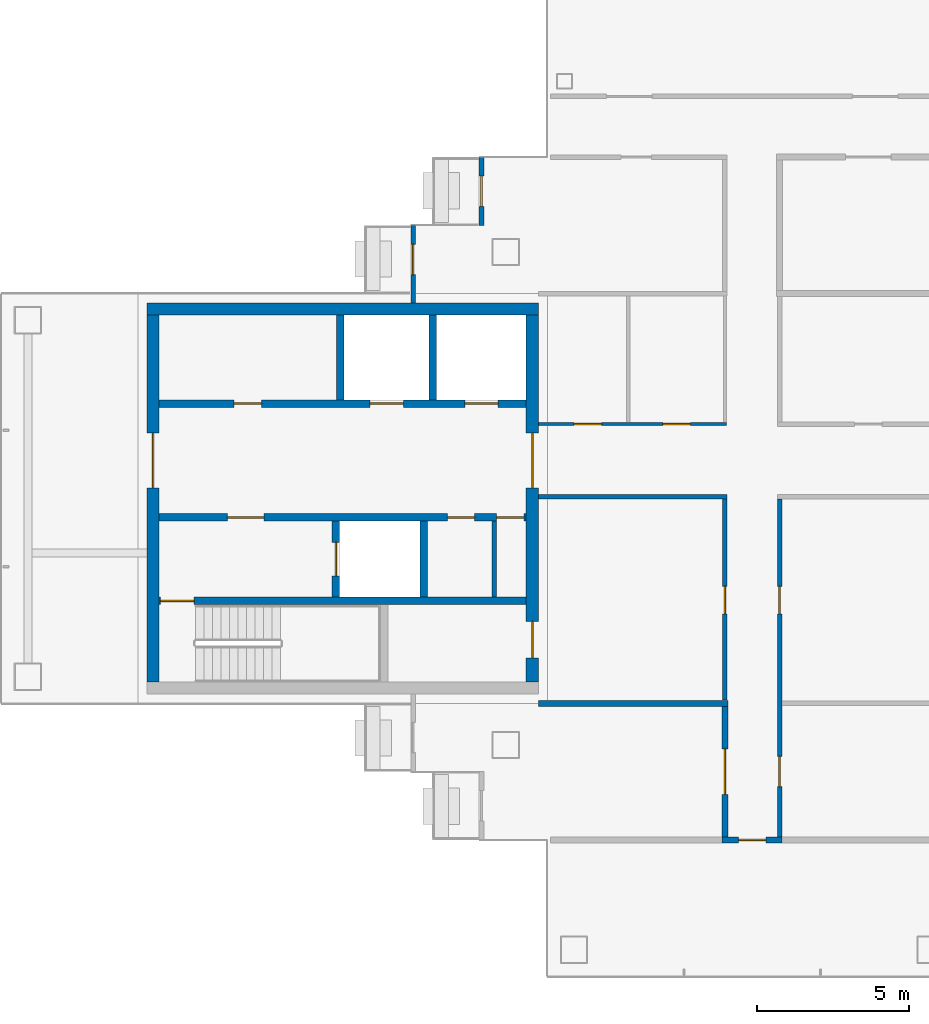
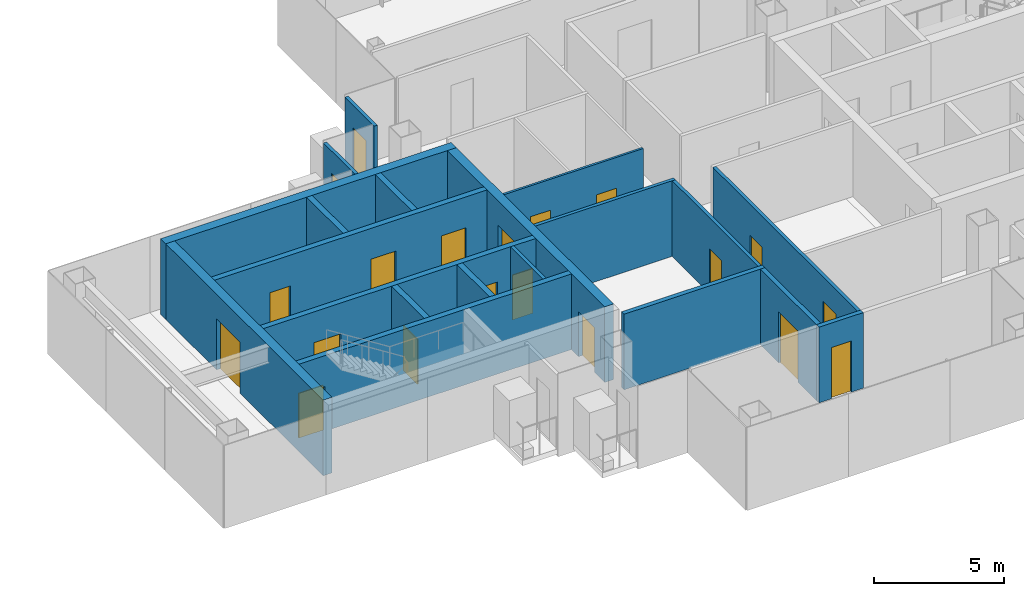
# One storey, part 11 of 17: 20 doors, 20 walls, 20 openings.
"""IFC4 building model written with IfcOpenShell, lengths in metres."""

from ifc_helpers import new_model, si_unit, direction, frame, frame_2d, origin, place, context, subcontext, project, spatial, rectangle, extrude, material, layer, layer_set, type_object, element, fill, save


model = new_model("IFC4")

# Units and contexts
model_context = context("Model", 3, precision=1e-05, world=origin(), true_north=direction((0.0, 1.0)))
body_context = subcontext(model_context, "Body", "Model", "MODEL_VIEW")
ifc_project = project(units=[si_unit("LENGTHUNIT", "METRE"), si_unit("AREAUNIT", "SQUARE_METRE"), si_unit("VOLUMEUNIT", "CUBIC_METRE"), si_unit("PLANEANGLEUNIT", "RADIAN"), si_unit("MASSUNIT", "GRAM", prefix="KILO")], contexts=[model_context])

# Site, building, storey
site_placement = place(None, origin())
site = spatial("IfcSite", under=ifc_project, at=site_placement, CompositionType="ELEMENT")
building_placement = place(site_placement, origin())
building = spatial("IfcBuilding", under=site, at=building_placement, Name="Shamsa Quay Exchange Towers", CompositionType="ELEMENT")
storey_placement = place(building_placement, frame((0.0, 0.0, 238.199951171875)))
storey = spatial("IfcBuildingStorey", under=building, at=storey_placement, Name="L57", CompositionType="ELEMENT", Elevation=238.199951171875)

# Wall, opening, door
ifc_material_1 = material(Name="Double-leaf gypsum board partition with acoustic insulation")
ifc_layer_1 = layer(ifc_material_1, 0.199951171875)
ifc_layer_set_1 = layer_set([ifc_layer_1], Name="Acoustic partition 200 mm EI 60")
wall_type_1 = type_object("IfcWallType", Name="Acoustic partition 200 mm EI 60", PredefinedType="PARTITIONING", material=ifc_layer_set_1)
wall_1_placement = place(storey_placement, frame((32.849609375, -11.14990234375, 0.0), z_axis=(0.0, 0.0, 1.0), x_axis=(0.0, 1.0, 0.0)))
wall_1 = element("IfcWall", 1, at=wall_1_placement, inside=storey, type_object=wall_type_1, Name="Partition T2-R25-W14", PredefinedType="PARTITIONING", context=body_context, shape_type="SweptSolid", body=[
    extrude(rectangle(XDim=4.2998046875, YDim=0.199951171875, at=frame_2d((2.14990234375, 0.0))), origin(), (0.0, 0.0, 1.0), 3.550048828125),
])
opening_1_placement = place(wall_1_placement, frame((1.39990234375, 0.0, 0.0)))
opening_1 = element("IfcOpeningElement", 2, at=opening_1_placement, cuts=wall_1, Name="Opening T2-R25-D06", PredefinedType="OPENING", context=body_context, shape_type="SweptSolid", body=[
    extrude(rectangle(XDim=1.5, YDim=2.39990234375, at=frame_2d((0.75, 1.199951171875))), frame((0.0, 0.10986328125, 0.0), z_axis=(0.0, -1.0, 0.0), x_axis=(1.0, 0.0, 0.0)), (0.0, 0.0, 1.0), 0.219970703125),
])
ifc_material_2 = material(Name="Timber door leaf in a metal frame", Category="wood")
door_type_1 = type_object("IfcDoorType", Name="Door 1500x2400 FD30S pair", OperationType="NOTDEFINED", PredefinedType="DOOR", material=ifc_material_2)
door_1_placement = place(opening_1_placement, origin())
door_1 = element("IfcDoor", 3, at=door_1_placement, inside=storey, type_object=door_type_1, Name="Door T2-R25-D06", OperationType="DOUBLE_DOOR_SINGLE_SWING", OverallHeight=2.39990234375, OverallWidth=1.5, PredefinedType="DOOR", context=body_context, shape_type="SweptSolid", body=[
    extrude(rectangle(XDim=1.5, YDim=2.39990234375, at=frame_2d((0.75, 1.199951171875))), frame((0.0, 0.02490234375, 0.0), z_axis=(0.0, -1.0, 0.0), x_axis=(1.0, 0.0, 0.0)), (0.0, 0.0, 1.0), 0.050048828125),
])
fill(opening_1, door_1)

wall_2_placement = place(storey_placement, frame((34.725341796875, -11.25, 0.0), z_axis=(0.0, 0.0, 1.0), x_axis=(-1.0, 0.0, 0.0)))
wall_2 = element("IfcWall", 4, at=wall_2_placement, inside=storey, type_object=wall_type_1, Name="Partition T2-R25-W15", PredefinedType="PARTITIONING", context=body_context, shape_type="SweptSolid", body=[
    extrude(rectangle(XDim=1.975830078125, YDim=0.199951171875, at=frame_2d((0.98779296875, 0.0))), origin(), (0.0, 0.0, 1.0), 3.550048828125),
])
opening_2_placement = place(wall_2_placement, frame((0.525390625, 0.0, 0.0)))
opening_2 = element("IfcOpeningElement", 5, at=opening_2_placement, cuts=wall_2, Name="Opening T2-R25-D05", PredefinedType="OPENING", context=body_context, shape_type="SweptSolid", body=[
    extrude(rectangle(XDim=0.89990234375, YDim=2.39990234375, at=frame_2d((0.449951171875, 1.199951171875))), frame((0.0, 0.10986328125, 0.0), z_axis=(0.0, -1.0, 0.0), x_axis=(1.0, 0.0, 0.0)), (0.0, 0.0, 1.0), 0.219970703125),
])
door_type_2 = type_object("IfcDoorType", Name="Door 900x2400 FD30S", OperationType="NOTDEFINED", PredefinedType="DOOR", material=ifc_material_2)
door_2_placement = place(opening_2_placement, origin())
door_2 = element("IfcDoor", 6, at=door_2_placement, inside=storey, type_object=door_type_2, Name="Door T2-R25-D05", OperationType="SINGLE_SWING_RIGHT", OverallHeight=2.39990234375, OverallWidth=0.89990234375, PredefinedType="DOOR", context=body_context, shape_type="SweptSolid", body=[
    extrude(rectangle(XDim=0.89990234375, YDim=2.39990234375, at=frame_2d((0.449951171875, 1.199951171875))), frame((0.0, 0.02490234375, 0.0), z_axis=(0.0, -1.0, 0.0), x_axis=(1.0, 0.0, 0.0)), (0.0, 0.0, 1.0), 0.050048828125),
])
fill(opening_2, door_2)

# Wall
wall_3_placement = place(storey_placement, frame((26.699951171875, -6.75, 0.0)))
element("IfcWall", 7, at=wall_3_placement, inside=storey, type_object=wall_type_1, Name="Partition T2-R25-W18", PredefinedType="PARTITIONING", context=body_context, shape_type="SweptSolid", body=[
    extrude(rectangle(XDim=6.249755859375, YDim=0.199951171875, at=frame_2d((3.125, 0.0))), origin(), (0.0, 0.0, 1.0), 3.550048828125),
])

# Wall, opening, door
ifc_material_3 = material(Name="Aluminium EN AW-6063 T6, black anodised, with black enamelled glass infill", Category="aluminium")
ifc_layer_2 = layer(ifc_material_3, 0.14990234375)
ifc_layer_set_2 = layer_set([ifc_layer_2], Name="BALCONY DOOR BAY WALL 150")
wall_type_2 = type_object("IfcWallType", Name="BALCONY DOOR BAY WALL 150", PredefinedType="SOLIDWALL", material=ifc_layer_set_2)
wall_4_placement = place(storey_placement, frame((24.824951171875, 9.0, 0.0), z_axis=(0.0, 0.0, 1.0), x_axis=(0.0, 1.0, 0.0)))
wall_4 = element("IfcWall", 8, at=wall_4_placement, inside=storey, type_object=wall_type_2, Name="Door bay T2-PKEN L57", PredefinedType="SOLIDWALL", context=body_context, shape_type="SweptSolid", body=[
    extrude(rectangle(XDim=2.25, YDim=0.14990234375, at=frame_2d((1.125, 0.0))), origin(), (0.0, 0.0, 1.0), 3.449951171875),
])
opening_3_placement = place(wall_4_placement, frame((0.625, 0.0, 0.0)))
opening_3 = element("IfcOpeningElement", 9, at=opening_3_placement, cuts=wall_4, Name="Opening XD377", PredefinedType="OPENING", context=body_context, shape_type="SweptSolid", body=[
    extrude(rectangle(XDim=1.0, YDim=2.39990234375, at=frame_2d((0.5, 1.199951171875))), frame((0.0, 0.0849609375, 0.0), z_axis=(0.0, -1.0, 0.0), x_axis=(1.0, 0.0, 0.0)), (0.0, 0.0, 1.0), 0.169921875),
])
ifc_material_4 = material(Name="Aluminium EN AW-6063 T6, black anodised, with laminated glass leaf", Category="aluminium")
door_type_3 = type_object("IfcDoorType", Name="BALCONY DOOR 1000x2400", OperationType="SINGLE_SWING_LEFT", PredefinedType="DOOR", material=ifc_material_4)
door_3_placement = place(opening_3_placement, origin())
door_3 = element("IfcDoor", 10, at=door_3_placement, inside=storey, type_object=door_type_3, Name="Balcony door T2-PKEN L57", OperationType="SINGLE_SWING_RIGHT", OverallHeight=2.39990234375, OverallWidth=1.0, PredefinedType="DOOR", context=body_context, shape_type="SweptSolid", body=[
    extrude(rectangle(XDim=1.0, YDim=2.39990234375, at=frame_2d((0.5, 1.199951171875))), frame((0.0, 0.02490234375, 0.0), z_axis=(0.0, -1.0, 0.0), x_axis=(1.0, 0.0, 0.0)), (0.0, 0.0, 1.0), 0.050048828125),
])
fill(opening_3, door_3)

wall_5_placement = place(storey_placement, frame((22.574951171875, 6.447998046875, 0.0), z_axis=(0.0, 0.0, 1.0), x_axis=(0.0, 1.0, 0.0)))
wall_5 = element("IfcWall", 11, at=wall_5_placement, inside=storey, type_object=wall_type_2, Name="Door bay T2-PKEN L57", PredefinedType="SOLIDWALL", context=body_context, shape_type="SweptSolid", body=[
    extrude(rectangle(XDim=2.552001953125, YDim=0.14990234375, at=frame_2d((1.27587890625, 0.0))), origin(), (0.0, 0.0, 1.0), 3.449951171875),
])
opening_4_placement = place(wall_5_placement, frame((0.927001953125, 0.0, 0.0)))
opening_4 = element("IfcOpeningElement", 12, at=opening_4_placement, cuts=wall_5, Name="Opening XD378", PredefinedType="OPENING", context=body_context, shape_type="SweptSolid", body=[
    extrude(rectangle(XDim=1.0, YDim=2.39990234375, at=frame_2d((0.5, 1.199951171875))), frame((0.0, 0.0849609375, 0.0), z_axis=(0.0, -1.0, 0.0), x_axis=(1.0, 0.0, 0.0)), (0.0, 0.0, 1.0), 0.169921875),
])
door_4_placement = place(opening_4_placement, origin())
door_4 = element("IfcDoor", 13, at=door_4_placement, inside=storey, type_object=door_type_3, Name="Balcony door T2-PKEN L57", OperationType="SINGLE_SWING_LEFT", OverallHeight=2.39990234375, OverallWidth=1.0, PredefinedType="DOOR", context=body_context, shape_type="SweptSolid", body=[
    extrude(rectangle(XDim=1.0, YDim=2.39990234375, at=frame_2d((0.5, 1.199951171875))), frame((0.0, 0.02490234375, 0.0), z_axis=(0.0, -1.0, 0.0), x_axis=(1.0, 0.0, 0.0)), (0.0, 0.0, 1.0), 0.050048828125),
])
fill(opening_4, door_4)

# Wall
ifc_material_5 = material(Name="Concrete C60/75", Category="concrete")
ifc_layer_3 = layer(ifc_material_5, 0.39990234375)
ifc_layer_set_3 = layer_set([ifc_layer_3], Name="CORE WALL 400 C60/75")
wall_type_3 = type_object("IfcWallType", Name="CORE WALL 400 C60/75", PredefinedType="SHEAR", material=ifc_layer_set_3)
wall_6_placement = place(storey_placement, frame((13.800048828125, 6.25, 0.0)))
element("IfcWall", 14, at=wall_6_placement, inside=storey, type_object=wall_type_3, Name="Core wall T2A-R25-PN", PredefinedType="SHEAR", context=body_context, shape_type="SweptSolid", body=[
    extrude(rectangle(XDim=12.89990234375, YDim=0.39990234375, at=frame_2d((6.449951171875, 0.0))), origin(), (0.0, 0.0, 1.0), 3.550048828125),
])

# Wall, opening, door
wall_7_placement = place(storey_placement, frame((14.0, 6.050048828125, 0.0), z_axis=(0.0, 0.0, 1.0), x_axis=(0.0, -1.0, 0.0)))
wall_7 = element("IfcWall", 15, at=wall_7_placement, inside=storey, type_object=wall_type_3, Name="Core wall T2A-R25-PF", PredefinedType="SHEAR", context=body_context, shape_type="SweptSolid", body=[
    extrude(rectangle(XDim=12.10009765625, YDim=0.39990234375, at=frame_2d((6.050048828125, 0.0))), origin(), (0.0, 0.0, 1.0), 3.550048828125),
])
opening_5_placement = place(wall_7_placement, frame((3.89990234375, 0.0, 0.0)))
opening_5 = element("IfcOpeningElement", 16, at=opening_5_placement, cuts=wall_7, Name="Opening T2A-R25-LBD01", PredefinedType="OPENING", context=body_context, shape_type="SweptSolid", body=[
    extrude(rectangle(XDim=1.800048828125, YDim=2.39990234375, at=frame_2d((0.89990234375, 1.199951171875))), frame((0.0, 0.2099609375, 0.0), z_axis=(0.0, -1.0, 0.0), x_axis=(1.0, 0.0, 0.0)), (0.0, 0.0, 1.0), 0.419921875),
])
ifc_material_6 = material(Name="Steel, fire rated", Category="steel")
door_type_4 = type_object("IfcDoorType", Name="LIFT LOBBY DOOR PAIR 1800", OperationType="DOUBLE_DOOR_SINGLE_SWING", PredefinedType="DOOR", material=ifc_material_6)
door_5_placement = place(opening_5_placement, origin())
door_5 = element("IfcDoor", 17, at=door_5_placement, inside=storey, type_object=door_type_4, Name="T2A-R25-LBD01", OperationType="DOUBLE_DOOR_SINGLE_SWING", OverallHeight=2.39990234375, OverallWidth=1.800048828125, PredefinedType="DOOR", context=body_context, shape_type="SweptSolid", body=[
    extrude(rectangle(XDim=1.800048828125, YDim=2.39990234375, at=frame_2d((0.89990234375, 1.199951171875))), frame((0.0, 0.02490234375, 0.0), z_axis=(0.0, -1.0, 0.0), x_axis=(1.0, 0.0, 0.0)), (0.0, 0.0, 1.0), 0.050048828125),
])
fill(opening_5, door_5)

# Wall, openings, doors
wall_8_placement = place(storey_placement, frame((26.5, 6.050048828125, 0.0), z_axis=(0.0, 0.0, 1.0), x_axis=(0.0, -1.0, 0.0)))
wall_8 = element("IfcWall", 18, at=wall_8_placement, inside=storey, type_object=wall_type_3, Name="Core wall T2A-R25-PB", PredefinedType="SHEAR", context=body_context, shape_type="SweptSolid", body=[
    extrude(rectangle(XDim=12.10009765625, YDim=0.39990234375, at=frame_2d((6.050048828125, 0.0))), origin(), (0.0, 0.0, 1.0), 3.550048828125),
])
opening_6_placement = place(wall_8_placement, frame((10.10009765625, 0.0, 0.0)))
opening_6 = element("IfcOpeningElement", 19, at=opening_6_placement, cuts=wall_8, Name="Opening T2A-R25-RD02", PredefinedType="OPENING", context=body_context, shape_type="SweptSolid", body=[
    extrude(rectangle(XDim=1.199951171875, YDim=2.10009765625, at=frame_2d((0.60009765625, 1.050048828125))), frame((0.0, 0.2099609375, 0.0), z_axis=(0.0, -1.0, 0.0), x_axis=(1.0, 0.0, 0.0)), (0.0, 0.0, 1.0), 0.419921875),
])
opening_7_placement = place(wall_8_placement, frame((3.89990234375, 0.0, 0.0)))
opening_7 = element("IfcOpeningElement", 20, at=opening_7_placement, cuts=wall_8, Name="Opening T2A-R25-LBD03", PredefinedType="OPENING", context=body_context, shape_type="SweptSolid", body=[
    extrude(rectangle(XDim=1.800048828125, YDim=2.39990234375, at=frame_2d((0.89990234375, 1.199951171875))), frame((0.0, 0.2099609375, 0.0), z_axis=(0.0, -1.0, 0.0), x_axis=(1.0, 0.0, 0.0)), (0.0, 0.0, 1.0), 0.419921875),
])
door_6_placement = place(opening_7_placement, origin())
door_6 = element("IfcDoor", 21, at=door_6_placement, inside=storey, type_object=door_type_4, Name="T2A-R25-LBD03", OperationType="DOUBLE_DOOR_SINGLE_SWING", OverallHeight=2.39990234375, OverallWidth=1.800048828125, PredefinedType="DOOR", context=body_context, shape_type="SweptSolid", body=[
    extrude(rectangle(XDim=1.800048828125, YDim=2.39990234375, at=frame_2d((0.89990234375, 1.199951171875))), frame((0.0, 0.02490234375, 0.0), z_axis=(0.0, -1.0, 0.0), x_axis=(1.0, 0.0, 0.0)), (0.0, 0.0, 1.0), 0.050048828125),
])
fill(opening_7, door_6)
door_type_5 = type_object("IfcDoorType", Name="RISER ACCESS DOOR 1200", OperationType="SINGLE_SWING_LEFT", PredefinedType="DOOR", material=ifc_material_6)
door_7_placement = place(opening_6_placement, origin())
door_7 = element("IfcDoor", 22, at=door_7_placement, inside=storey, type_object=door_type_5, Name="T2A-R25-RD02", OperationType="SINGLE_SWING_RIGHT", OverallHeight=2.10009765625, OverallWidth=1.199951171875, PredefinedType="DOOR", context=body_context, shape_type="SweptSolid", body=[
    extrude(rectangle(XDim=1.199951171875, YDim=2.10009765625, at=frame_2d((0.60009765625, 1.050048828125))), frame((0.0, 0.02490234375, 0.0), z_axis=(0.0, -1.0, 0.0), x_axis=(1.0, 0.0, 0.0)), (0.0, 0.0, 1.0), 0.050048828125),
])
fill(opening_6, door_7)

# Wall
ifc_material_7 = material(Name="Gypsum board on steel studs, EI 60", Category="steel")
ifc_layer_4 = layer(ifc_material_7, 0.14990234375)
ifc_layer_set_4 = layer_set([ifc_layer_4], Name="FIRE PARTITION 150")
wall_type_4 = type_object("IfcWallType", Name="FIRE PARTITION 150", PredefinedType="PARTITIONING", material=ifc_layer_set_4)
wall_9_placement = place(storey_placement, frame((25.25, -3.25, 0.0), z_axis=(0.0, 0.0, 1.0), x_axis=(0.0, 1.0, 0.0)))
element("IfcWall", 23, at=wall_9_placement, inside=storey, type_object=wall_type_4, Name="Partition T2A-R25-EC0", PredefinedType="PARTITIONING", context=body_context, shape_type="SweptSolid", body=[
    extrude(rectangle(XDim=2.5, YDim=0.14990234375, at=frame_2d((1.25, 0.0))), origin(), (0.0, 0.0, 1.0), 3.550048828125),
])

# Wall, openings, doors
ifc_material_8 = material(Name="Gypsum board partition on metal studs")
ifc_layer_5 = layer(ifc_material_8, 0.10009765625)
ifc_layer_set_5 = layer_set([ifc_layer_5], Name="Partition 100 mm NOT RATED")
wall_type_5 = type_object("IfcWallType", Name="Partition 100 mm NOT RATED", PredefinedType="PARTITIONING", material=ifc_layer_set_5)
wall_10_placement = place(storey_placement, frame((26.699951171875, 2.4501953125, 0.0)))
wall_10 = element("IfcWall", 24, at=wall_10_placement, inside=storey, type_object=wall_type_5, Name="Partition T2-R25-W02", PredefinedType="PARTITIONING", context=body_context, shape_type="SweptSolid", body=[
    extrude(rectangle(XDim=6.19970703125, YDim=0.10009765625, at=frame_2d((3.099853515625, 0.0))), origin(), (0.0, 0.0, 1.0), 3.550048828125),
])
opening_8_placement = place(wall_10_placement, frame((4.105712890625, 0.0, 0.0)))
opening_8 = element("IfcOpeningElement", 25, at=opening_8_placement, cuts=wall_10, Name="Opening T2-R25-D08", PredefinedType="OPENING", context=body_context, shape_type="SweptSolid", body=[
    extrude(rectangle(XDim=0.89990234375, YDim=2.10009765625, at=frame_2d((0.449951171875, 1.050048828125))), frame((0.0, 0.06005859375, 0.0), z_axis=(0.0, -1.0, 0.0), x_axis=(1.0, 0.0, 0.0)), (0.0, 0.0, 1.0), 0.1201171875),
])
opening_9_placement = place(wall_10_placement, frame((1.18115234375, 0.0, 0.0)))
opening_9 = element("IfcOpeningElement", 26, at=opening_9_placement, cuts=wall_10, Name="Opening T2-R25-D09", PredefinedType="OPENING", context=body_context, shape_type="SweptSolid", body=[
    extrude(rectangle(XDim=0.89990234375, YDim=2.10009765625, at=frame_2d((0.449951171875, 1.050048828125))), frame((0.0, 0.06005859375, 0.0), z_axis=(0.0, -1.0, 0.0), x_axis=(1.0, 0.0, 0.0)), (0.0, 0.0, 1.0), 0.1201171875),
])
door_type_6 = type_object("IfcDoorType", Name="Door 900x2100 NOT RATED", OperationType="NOTDEFINED", PredefinedType="DOOR", material=ifc_material_2)
door_8_placement = place(opening_8_placement, origin())
door_8 = element("IfcDoor", 27, at=door_8_placement, inside=storey, type_object=door_type_6, Name="Door T2-R25-D08", OperationType="SINGLE_SWING_RIGHT", OverallHeight=2.10009765625, OverallWidth=0.89990234375, PredefinedType="DOOR", context=body_context, shape_type="SweptSolid", body=[
    extrude(rectangle(XDim=0.89990234375, YDim=2.10009765625, at=frame_2d((0.449951171875, 1.050048828125))), frame((0.0, 0.02490234375, 0.0), z_axis=(0.0, -1.0, 0.0), x_axis=(1.0, 0.0, 0.0)), (0.0, 0.0, 1.0), 0.050048828125),
])
fill(opening_8, door_8)
door_9_placement = place(opening_9_placement, origin())
door_9 = element("IfcDoor", 28, at=door_9_placement, inside=storey, type_object=door_type_6, Name="Door T2-R25-D09", OperationType="SINGLE_SWING_RIGHT", OverallHeight=2.10009765625, OverallWidth=0.89990234375, PredefinedType="DOOR", context=body_context, shape_type="SweptSolid", body=[
    extrude(rectangle(XDim=0.89990234375, YDim=2.10009765625, at=frame_2d((0.449951171875, 1.050048828125))), frame((0.0, 0.02490234375, 0.0), z_axis=(0.0, -1.0, 0.0), x_axis=(1.0, 0.0, 0.0)), (0.0, 0.0, 1.0), 0.050048828125),
])
fill(opening_9, door_9)

# Wall
ifc_layer_6 = layer(ifc_material_8, 0.14990234375)
ifc_layer_set_6 = layer_set([ifc_layer_6], Name="Partition 150 mm EI 60")
wall_type_6 = type_object("IfcWallType", Name="Partition 150 mm EI 60", PredefinedType="PARTITIONING", material=ifc_layer_set_6)
wall_11_placement = place(storey_placement, frame((32.924560546875, 0.0498046875, 0.0), z_axis=(0.0, 0.0, 1.0), x_axis=(-1.0, 0.0, 0.0)))
element("IfcWall", 29, at=wall_11_placement, inside=storey, type_object=wall_type_6, Name="Partition T2-R25-W03", PredefinedType="PARTITIONING", context=body_context, shape_type="SweptSolid", body=[
    extrude(rectangle(XDim=6.224609375, YDim=0.14990234375, at=frame_2d((3.1123046875, 0.0))), origin(), (0.0, 0.0, 1.0), 3.550048828125),
])

# Wall, opening, door
wall_12_placement = place(storey_placement, frame((32.849609375, -6.64990234375, 0.0), z_axis=(0.0, 0.0, 1.0), x_axis=(0.0, 1.0, 0.0)))
wall_12 = element("IfcWall", 30, at=wall_12_placement, inside=storey, type_object=wall_type_6, Name="Partition T2-R25-W06", PredefinedType="PARTITIONING", context=body_context, shape_type="SweptSolid", body=[
    extrude(rectangle(XDim=6.624755859375, YDim=0.14990234375, at=frame_2d((3.3125, 0.0))), origin(), (0.0, 0.0, 1.0), 3.550048828125),
])
opening_10_placement = place(wall_12_placement, frame((2.849853515625, 0.0, 0.0)))
opening_10 = element("IfcOpeningElement", 31, at=opening_10_placement, cuts=wall_12, Name="Opening T2-R25-D07", PredefinedType="OPENING", context=body_context, shape_type="SweptSolid", body=[
    extrude(rectangle(XDim=0.89990234375, YDim=2.10009765625, at=frame_2d((0.449951171875, 1.050048828125))), frame((0.0, 0.0849609375, 0.0), z_axis=(0.0, -1.0, 0.0), x_axis=(1.0, 0.0, 0.0)), (0.0, 0.0, 1.0), 0.169921875),
])
door_type_7 = type_object("IfcDoorType", Name="Door 900x2100 FD30S", OperationType="NOTDEFINED", PredefinedType="DOOR", material=ifc_material_2)
door_10_placement = place(opening_10_placement, origin())
door_10 = element("IfcDoor", 32, at=door_10_placement, inside=storey, type_object=door_type_7, Name="Door T2-R25-D07", OperationType="SINGLE_SWING_RIGHT", OverallHeight=2.10009765625, OverallWidth=0.89990234375, PredefinedType="DOOR", context=body_context, shape_type="SweptSolid", body=[
    extrude(rectangle(XDim=0.89990234375, YDim=2.10009765625, at=frame_2d((0.449951171875, 1.050048828125))), frame((0.0, 0.02490234375, 0.0), z_axis=(0.0, -1.0, 0.0), x_axis=(1.0, 0.0, 0.0)), (0.0, 0.0, 1.0), 0.050048828125),
])
fill(opening_10, door_10)

# Wall, openings, doors
wall_13_placement = place(storey_placement, frame((34.650390625, -0.025146484375, 0.0), z_axis=(0.0, 0.0, 1.0), x_axis=(0.0, -1.0, 0.0)))
wall_13 = element("IfcWall", 33, at=wall_13_placement, inside=storey, type_object=wall_type_6, Name="Partition T2-R25-W08", PredefinedType="PARTITIONING", context=body_context, shape_type="SweptSolid", body=[
    extrude(rectangle(XDim=11.124755859375, YDim=0.14990234375, at=frame_2d((5.5625, 0.0))), origin(), (0.0, 0.0, 1.0), 3.550048828125),
])
opening_11_placement = place(wall_13_placement, frame((8.474853515625, 0.0, 0.0)))
opening_11 = element("IfcOpeningElement", 34, at=opening_11_placement, cuts=wall_13, Name="Opening T2-R25-D02", PredefinedType="OPENING", context=body_context, shape_type="SweptSolid", body=[
    extrude(rectangle(XDim=1.0, YDim=2.39990234375, at=frame_2d((0.5, 1.199951171875))), frame((0.0, 0.0849609375, 0.0), z_axis=(0.0, -1.0, 0.0), x_axis=(1.0, 0.0, 0.0)), (0.0, 0.0, 1.0), 0.169921875),
])
opening_12_placement = place(wall_13_placement, frame((2.875, 0.0, 0.0)))
opening_12 = element("IfcOpeningElement", 35, at=opening_12_placement, cuts=wall_13, Name="Opening T2-R25-D03", PredefinedType="OPENING", context=body_context, shape_type="SweptSolid", body=[
    extrude(rectangle(XDim=0.89990234375, YDim=2.10009765625, at=frame_2d((0.449951171875, 1.050048828125))), frame((0.0, 0.0849609375, 0.0), z_axis=(0.0, -1.0, 0.0), x_axis=(1.0, 0.0, 0.0)), (0.0, 0.0, 1.0), 0.169921875),
])
door_type_8 = type_object("IfcDoorType", Name="Door 1000x2400 FD30S", OperationType="NOTDEFINED", PredefinedType="DOOR", material=ifc_material_2)
door_11_placement = place(opening_11_placement, origin())
door_11 = element("IfcDoor", 36, at=door_11_placement, inside=storey, type_object=door_type_8, Name="Door T2-R25-D02", OperationType="SINGLE_SWING_LEFT", OverallHeight=2.39990234375, OverallWidth=1.0, PredefinedType="DOOR", context=body_context, shape_type="SweptSolid", body=[
    extrude(rectangle(XDim=1.0, YDim=2.39990234375, at=frame_2d((0.5, 1.199951171875))), frame((0.0, 0.02490234375, 0.0), z_axis=(0.0, -1.0, 0.0), x_axis=(1.0, 0.0, 0.0)), (0.0, 0.0, 1.0), 0.050048828125),
])
fill(opening_11, door_11)
door_12_placement = place(opening_12_placement, origin())
door_12 = element("IfcDoor", 37, at=door_12_placement, inside=storey, type_object=door_type_7, Name="Door T2-R25-D03", OperationType="SINGLE_SWING_RIGHT", OverallHeight=2.10009765625, OverallWidth=0.89990234375, PredefinedType="DOOR", context=body_context, shape_type="SweptSolid", body=[
    extrude(rectangle(XDim=0.89990234375, YDim=2.10009765625, at=frame_2d((0.449951171875, 1.050048828125))), frame((0.0, 0.02490234375, 0.0), z_axis=(0.0, -1.0, 0.0), x_axis=(1.0, 0.0, 0.0)), (0.0, 0.0, 1.0), 0.050048828125),
])
fill(opening_12, door_12)

# Wall, opening, door
ifc_material_9 = material(Name="Concrete C50/60", Category="concrete")
ifc_layer_7 = layer(ifc_material_9, 0.25)
ifc_layer_set_7 = layer_set([ifc_layer_7], Name="SHAFT WALL 250 C50/60")
wall_type_7 = type_object("IfcWallType", Name="SHAFT WALL 250 C50/60", PredefinedType="SHEAR", material=ifc_layer_set_7)
wall_14_placement = place(storey_placement, frame((26.300048828125, -3.375, 0.0), z_axis=(0.0, 0.0, 1.0), x_axis=(-1.0, 0.0, 0.0)))
wall_14 = element("IfcWall", 38, at=wall_14_placement, inside=storey, type_object=wall_type_7, Name="Shaft wall T2A-R25-STL", PredefinedType="SHEAR", context=body_context, shape_type="SweptSolid", body=[
    extrude(rectangle(XDim=12.10009765625, YDim=0.25, at=frame_2d((6.050048828125, 0.0))), origin(), (0.0, 0.0, 1.0), 3.550048828125),
])
opening_13_placement = place(wall_14_placement, frame((10.949951171875, 0.0, 0.0)))
opening_13 = element("IfcOpeningElement", 39, at=opening_13_placement, cuts=wall_14, Name="Opening T2A-R25-SD04", PredefinedType="OPENING", context=body_context, shape_type="SweptSolid", body=[
    extrude(rectangle(XDim=1.10009765625, YDim=2.10009765625, at=frame_2d((0.550048828125, 1.050048828125))), frame((0.0, 0.135009765625, 0.0), z_axis=(0.0, -1.0, 0.0), x_axis=(1.0, 0.0, 0.0)), (0.0, 0.0, 1.0), 0.27001953125),
])
door_type_9 = type_object("IfcDoorType", Name="STAIR DOOR 1100", OperationType="SINGLE_SWING_LEFT", PredefinedType="DOOR", material=ifc_material_6)
door_13_placement = place(opening_13_placement, origin())
door_13 = element("IfcDoor", 40, at=door_13_placement, inside=storey, type_object=door_type_9, Name="T2A-R25-SD04", OperationType="SINGLE_SWING_RIGHT", OverallHeight=2.10009765625, OverallWidth=1.10009765625, PredefinedType="DOOR", context=body_context, shape_type="SweptSolid", body=[
    extrude(rectangle(XDim=1.10009765625, YDim=2.10009765625, at=frame_2d((0.550048828125, 1.050048828125))), frame((0.0, 0.02490234375, 0.0), z_axis=(0.0, -1.0, 0.0), x_axis=(1.0, 0.0, 0.0)), (0.0, 0.0, 1.0), 0.050048828125),
])
fill(opening_13, door_13)

# Wall, openings, doors
wall_15_placement = place(storey_placement, frame((26.300048828125, -0.625, 0.0), z_axis=(0.0, 0.0, 1.0), x_axis=(-1.0, 0.0, 0.0)))
wall_15 = element("IfcWall", 41, at=wall_15_placement, inside=storey, type_object=wall_type_7, Name="Shaft wall T2A-R25-B", PredefinedType="SHEAR", context=body_context, shape_type="SweptSolid", body=[
    extrude(rectangle(XDim=12.10009765625, YDim=0.25, at=frame_2d((6.050048828125, 0.0))), origin(), (0.0, 0.0, 1.0), 3.550048828125),
])
opening_14_placement = place(wall_15_placement, frame((8.64990234375, 0.0, 0.0)))
opening_14 = element("IfcOpeningElement", 42, at=opening_14_placement, cuts=wall_15, Name="Opening T2A-R25-FD05", PredefinedType="OPENING", context=body_context, shape_type="SweptSolid", body=[
    extrude(rectangle(XDim=1.199951171875, YDim=2.10009765625, at=frame_2d((0.60009765625, 1.050048828125))), frame((0.0, 0.135009765625, 0.0), z_axis=(0.0, -1.0, 0.0), x_axis=(1.0, 0.0, 0.0)), (0.0, 0.0, 1.0), 0.27001953125),
])
opening_15_placement = place(wall_15_placement, frame((1.699951171875, 0.0, 0.0)))
opening_15 = element("IfcOpeningElement", 43, at=opening_15_placement, cuts=wall_15, Name="Opening T2A-R25-SV06", PredefinedType="OPENING", context=body_context, shape_type="SweptSolid", body=[
    extrude(rectangle(XDim=0.89990234375, YDim=2.10009765625, at=frame_2d((0.449951171875, 1.050048828125))), frame((0.0, 0.135009765625, 0.0), z_axis=(0.0, -1.0, 0.0), x_axis=(1.0, 0.0, 0.0)), (0.0, 0.0, 1.0), 0.27001953125),
])
opening_16_placement = place(wall_15_placement, frame((0.074951171875, 0.0, 0.0)))
opening_16 = element("IfcOpeningElement", 44, at=opening_16_placement, cuts=wall_15, Name="Opening T2A-R25-SV07", PredefinedType="OPENING", context=body_context, shape_type="SweptSolid", body=[
    extrude(rectangle(XDim=0.89990234375, YDim=2.10009765625, at=frame_2d((0.449951171875, 1.050048828125))), frame((0.0, 0.135009765625, 0.0), z_axis=(0.0, -1.0, 0.0), x_axis=(1.0, 0.0, 0.0)), (0.0, 0.0, 1.0), 0.27001953125),
])
door_type_10 = type_object("IfcDoorType", Name="FIRE SERVICE LOBBY DOOR 1200", OperationType="SINGLE_SWING_LEFT", PredefinedType="DOOR", material=ifc_material_6)
door_14_placement = place(opening_14_placement, origin())
door_14 = element("IfcDoor", 45, at=door_14_placement, inside=storey, type_object=door_type_10, Name="T2A-R25-FD05", OperationType="SINGLE_SWING_RIGHT", OverallHeight=2.10009765625, OverallWidth=1.199951171875, PredefinedType="DOOR", context=body_context, shape_type="SweptSolid", body=[
    extrude(rectangle(XDim=1.199951171875, YDim=2.10009765625, at=frame_2d((0.60009765625, 1.050048828125))), frame((0.0, 0.02490234375, 0.0), z_axis=(0.0, -1.0, 0.0), x_axis=(1.0, 0.0, 0.0)), (0.0, 0.0, 1.0), 0.050048828125),
])
fill(opening_14, door_14)
door_type_11 = type_object("IfcDoorType", Name="SERVICE ROOM DOOR 900", OperationType="SINGLE_SWING_LEFT", PredefinedType="DOOR", material=ifc_material_6)
door_15_placement = place(opening_15_placement, origin())
door_15 = element("IfcDoor", 46, at=door_15_placement, inside=storey, type_object=door_type_11, Name="T2A-R25-SV06", OperationType="SINGLE_SWING_LEFT", OverallHeight=2.10009765625, OverallWidth=0.89990234375, PredefinedType="DOOR", context=body_context, shape_type="SweptSolid", body=[
    extrude(rectangle(XDim=0.89990234375, YDim=2.10009765625, at=frame_2d((0.449951171875, 1.050048828125))), frame((0.0, 0.02490234375, 0.0), z_axis=(0.0, -1.0, 0.0), x_axis=(1.0, 0.0, 0.0)), (0.0, 0.0, 1.0), 0.050048828125),
])
fill(opening_15, door_15)
door_16_placement = place(opening_16_placement, origin())
door_16 = element("IfcDoor", 47, at=door_16_placement, inside=storey, type_object=door_type_11, Name="T2A-R25-SV07", OperationType="SINGLE_SWING_LEFT", OverallHeight=2.10009765625, OverallWidth=0.89990234375, PredefinedType="DOOR", context=body_context, shape_type="SweptSolid", body=[
    extrude(rectangle(XDim=0.89990234375, YDim=2.10009765625, at=frame_2d((0.449951171875, 1.050048828125))), frame((0.0, 0.02490234375, 0.0), z_axis=(0.0, -1.0, 0.0), x_axis=(1.0, 0.0, 0.0)), (0.0, 0.0, 1.0), 0.050048828125),
])
fill(opening_16, door_16)

# Wall, opening, door
wall_16_placement = place(storey_placement, frame((20.02490234375, -3.25, 0.0), z_axis=(0.0, 0.0, 1.0), x_axis=(0.0, 1.0, 0.0)))
wall_16 = element("IfcWall", 48, at=wall_16_placement, inside=storey, type_object=wall_type_7, Name="Shaft wall T2A-R25-FFF", PredefinedType="SHEAR", context=body_context, shape_type="SweptSolid", body=[
    extrude(rectangle(XDim=2.5, YDim=0.25, at=frame_2d((1.25, 0.0))), origin(), (0.0, 0.0, 1.0), 3.550048828125),
])
opening_17_placement = place(wall_16_placement, frame((0.699951171875, 0.0, 0.0)))
opening_17 = element("IfcOpeningElement", 49, at=opening_17_placement, cuts=wall_16, Name="Opening T2A-R25-LDF08", PredefinedType="OPENING", context=body_context, shape_type="SweptSolid", body=[
    extrude(rectangle(XDim=1.10009765625, YDim=2.10009765625, at=frame_2d((0.550048828125, 1.050048828125))), frame((0.0, 0.135009765625, 0.0), z_axis=(0.0, -1.0, 0.0), x_axis=(1.0, 0.0, 0.0)), (0.0, 0.0, 1.0), 0.27001953125),
])
door_type_12 = type_object("IfcDoorType", Name="FIRE SERVICE LANDING DOOR 1100", OperationType="SLIDING_TO_LEFT", PredefinedType="DOOR", material=ifc_material_6)
door_17_placement = place(opening_17_placement, origin())
door_17 = element("IfcDoor", 50, at=door_17_placement, inside=storey, type_object=door_type_12, Name="T2A-R25-LDF08", OperationType="SLIDING_TO_LEFT", OverallHeight=2.10009765625, OverallWidth=1.10009765625, PredefinedType="DOOR", context=body_context, shape_type="SweptSolid", body=[
    extrude(rectangle(XDim=1.10009765625, YDim=2.10009765625, at=frame_2d((0.550048828125, 1.050048828125))), frame((0.0, 0.02490234375, 0.0), z_axis=(0.0, -1.0, 0.0), x_axis=(1.0, 0.0, 0.0)), (0.0, 0.0, 1.0), 0.050048828125),
])
fill(opening_17, door_17)

# Wall
wall_17_placement = place(storey_placement, frame((22.925048828125, -3.25, 0.0), z_axis=(0.0, 0.0, 1.0), x_axis=(0.0, 1.0, 0.0)))
element("IfcWall", 51, at=wall_17_placement, inside=storey, type_object=wall_type_7, Name="Shaft wall T2A-R25-FFB", PredefinedType="SHEAR", context=body_context, shape_type="SweptSolid", body=[
    extrude(rectangle(XDim=2.5, YDim=0.25, at=frame_2d((1.25, 0.0))), origin(), (0.0, 0.0, 1.0), 3.550048828125),
])

# Wall, openings, doors
wall_18_placement = place(storey_placement, frame((14.199951171875, 3.125, 0.0)))
wall_18 = element("IfcWall", 52, at=wall_18_placement, inside=storey, type_object=wall_type_7, Name="Shaft wall T2A-R25-N", PredefinedType="SHEAR", context=body_context, shape_type="SweptSolid", body=[
    extrude(rectangle(XDim=12.10009765625, YDim=0.25, at=frame_2d((6.050048828125, 0.0))), origin(), (0.0, 0.0, 1.0), 3.550048828125),
])
opening_18_placement = place(wall_18_placement, frame((6.949951171875, 0.0, 0.0)))
opening_18 = element("IfcOpeningElement", 53, at=opening_18_placement, cuts=wall_18, Name="Opening T2A-R25-LD09", PredefinedType="OPENING", context=body_context, shape_type="SweptSolid", body=[
    extrude(rectangle(XDim=1.10009765625, YDim=2.10009765625, at=frame_2d((0.550048828125, 1.050048828125))), frame((0.0, 0.135009765625, 0.0), z_axis=(0.0, -1.0, 0.0), x_axis=(1.0, 0.0, 0.0)), (0.0, 0.0, 1.0), 0.27001953125),
])
opening_19_placement = place(wall_18_placement, frame((10.074951171875, 0.0, 0.0)))
opening_19 = element("IfcOpeningElement", 54, at=opening_19_placement, cuts=wall_18, Name="Opening T2A-R25-LD10", PredefinedType="OPENING", context=body_context, shape_type="SweptSolid", body=[
    extrude(rectangle(XDim=1.10009765625, YDim=2.10009765625, at=frame_2d((0.550048828125, 1.050048828125))), frame((0.0, 0.135009765625, 0.0), z_axis=(0.0, -1.0, 0.0), x_axis=(1.0, 0.0, 0.0)), (0.0, 0.0, 1.0), 0.27001953125),
])
opening_20_placement = place(wall_18_placement, frame((2.47509765625, 0.0, 0.0)))
opening_20 = element("IfcOpeningElement", 55, at=opening_20_placement, cuts=wall_18, Name="Opening T2A-R25-SV11", PredefinedType="OPENING", context=body_context, shape_type="SweptSolid", body=[
    extrude(rectangle(XDim=0.89990234375, YDim=2.10009765625, at=frame_2d((0.449951171875, 1.050048828125))), frame((0.0, 0.135009765625, 0.0), z_axis=(0.0, -1.0, 0.0), x_axis=(1.0, 0.0, 0.0)), (0.0, 0.0, 1.0), 0.27001953125),
])
door_type_13 = type_object("IfcDoorType", Name="LANDING DOOR 1100", OperationType="SLIDING_TO_LEFT", PredefinedType="DOOR", material=ifc_material_6)
door_18_placement = place(opening_18_placement, origin())
door_18 = element("IfcDoor", 56, at=door_18_placement, inside=storey, type_object=door_type_13, Name="T2A-R25-LD09", OperationType="SLIDING_TO_LEFT", OverallHeight=2.10009765625, OverallWidth=1.10009765625, PredefinedType="DOOR", context=body_context, shape_type="SweptSolid", body=[
    extrude(rectangle(XDim=1.10009765625, YDim=2.10009765625, at=frame_2d((0.550048828125, 1.050048828125))), frame((0.0, 0.02490234375, 0.0), z_axis=(0.0, -1.0, 0.0), x_axis=(1.0, 0.0, 0.0)), (0.0, 0.0, 1.0), 0.050048828125),
])
fill(opening_18, door_18)
door_19_placement = place(opening_19_placement, origin())
door_19 = element("IfcDoor", 57, at=door_19_placement, inside=storey, type_object=door_type_13, Name="T2A-R25-LD10", OperationType="SLIDING_TO_LEFT", OverallHeight=2.10009765625, OverallWidth=1.10009765625, PredefinedType="DOOR", context=body_context, shape_type="SweptSolid", body=[
    extrude(rectangle(XDim=1.10009765625, YDim=2.10009765625, at=frame_2d((0.550048828125, 1.050048828125))), frame((0.0, 0.02490234375, 0.0), z_axis=(0.0, -1.0, 0.0), x_axis=(1.0, 0.0, 0.0)), (0.0, 0.0, 1.0), 0.050048828125),
])
fill(opening_19, door_19)
door_20_placement = place(opening_20_placement, origin())
door_20 = element("IfcDoor", 58, at=door_20_placement, inside=storey, type_object=door_type_11, Name="T2A-R25-SV11", OperationType="SINGLE_SWING_LEFT", OverallHeight=2.10009765625, OverallWidth=0.89990234375, PredefinedType="DOOR", context=body_context, shape_type="SweptSolid", body=[
    extrude(rectangle(XDim=0.89990234375, YDim=2.10009765625, at=frame_2d((0.449951171875, 1.050048828125))), frame((0.0, 0.02490234375, 0.0), z_axis=(0.0, -1.0, 0.0), x_axis=(1.0, 0.0, 0.0)), (0.0, 0.0, 1.0), 0.050048828125),
])
fill(opening_20, door_20)

# Walls
for number, where, z_axis, x_axis, name in (
    (59, (20.175048828125, 3.25, 0.0), (0.0, 0.0, 1.0), (0.0, 1.0, 0.0), "Shaft wall T2A-R25-D1"),
    (60, (23.22509765625, 3.25, 0.0), (0.0, 0.0, 1.0), (0.0, 1.0, 0.0), "Shaft wall T2A-R25-D2"),
):
    element("IfcWall", number, at=place(storey_placement, frame(where, z_axis=z_axis, x_axis=x_axis)), inside=storey, type_object=wall_type_7, Name=name, PredefinedType="SHEAR", context=body_context, shape_type="SweptSolid", body=[
        extrude(rectangle(XDim=2.800048828125, YDim=0.25, at=frame_2d((1.39990234375, 0.0))), origin(), (0.0, 0.0, 1.0), 3.550048828125),
    ])

save(model, "model.ifc")
